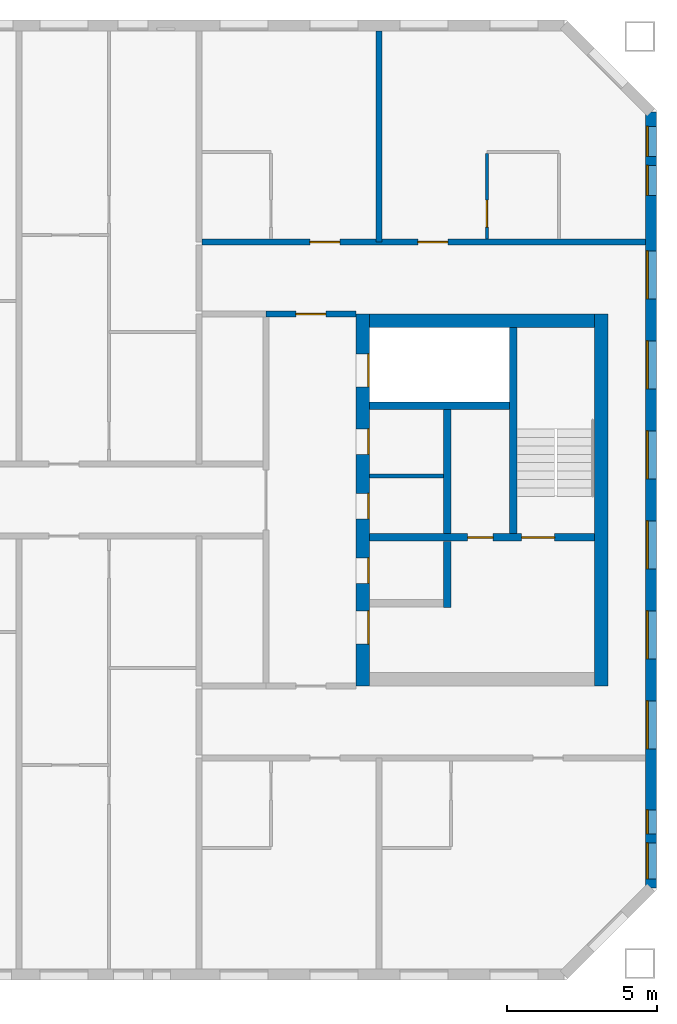
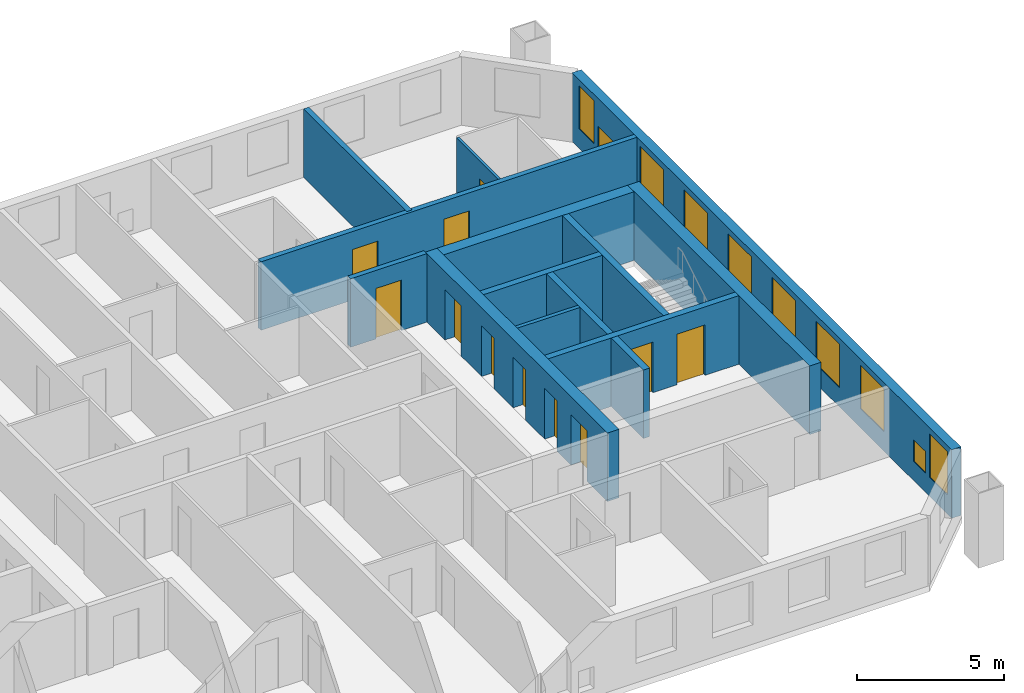
# One storey, part 12 of 15: 14 walls, 11 doors, 10 windows, 21 openings.
"""IFC4 building model written with IfcOpenShell, lengths in metres."""

from ifc_helpers import new_model, si_unit, direction, frame, frame_2d, origin, place, context, subcontext, project, spatial, rectangle, extrude, material, layer, layer_set, type_object, element, fill, save


model = new_model("IFC4")

# Units and contexts
model_context = context("Model", 3, precision=1e-05, world=origin(), true_north=direction((0.0, 1.0)))
body_context = subcontext(model_context, "Body", "Model", "MODEL_VIEW")
ifc_project = project(units=[si_unit("LENGTHUNIT", "METRE"), si_unit("AREAUNIT", "SQUARE_METRE"), si_unit("VOLUMEUNIT", "CUBIC_METRE"), si_unit("PLANEANGLEUNIT", "RADIAN"), si_unit("MASSUNIT", "GRAM", prefix="KILO")], contexts=[model_context])

# Site, building, storey
site_placement = place(None, origin())
site = spatial("IfcSite", under=ifc_project, at=site_placement, CompositionType="ELEMENT")
building_placement = place(site_placement, origin())
building = spatial("IfcBuilding", under=site, at=building_placement, Name="Tuart Gate Housing", CompositionType="ELEMENT")
storey_placement = place(building_placement, frame((0.0, 0.0, 188.199951171875)))
storey = spatial("IfcBuildingStorey", under=building, at=storey_placement, Name="L53", CompositionType="ELEMENT", Elevation=188.199951171875)

# Wall, openings, windows
ifc_material_1 = material(Name="Brick", Category="masonry")
ifc_layer_1 = layer(ifc_material_1, 0.360107421875)
ifc_layer_set_1 = layer_set([ifc_layer_1], Name="Brick pier and spandrel wall 360")
wall_type_1 = type_object("IfcWallType", Name="Brick pier and spandrel wall 360", PredefinedType="STANDARD", material=ifc_layer_set_1)
wall_1_placement = place(storey_placement, frame((170.070068359375, 57.07470703125, 0.0), z_axis=(0.0, 0.0, 1.0), x_axis=(0.0, 1.0, 0.0)))
wall_1 = element("IfcWall", 1, at=wall_1_placement, inside=storey, type_object=wall_type_1, Name="External wall B-E L53", PredefinedType="STANDARD", context=body_context, shape_type="SweptSolid", body=[
    extrude(rectangle(XDim=25.850830078125, YDim=0.360107421875, at=frame_2d((12.92529296875, 0.0))), origin(), (0.0, 0.0, 1.0), 2.85009765625),
])
opening_1_placement = place(wall_1_placement, frame((0.300048828125, 0.0, 0.800048828125)))
opening_1 = element("IfcOpeningElement", 2, at=opening_1_placement, cuts=wall_1, Name="Opening W1B", PredefinedType="OPENING", context=body_context, shape_type="SweptSolid", body=[
    extrude(rectangle(XDim=1.199951171875, YDim=1.800048828125, at=frame_2d((0.60009765625, 0.89990234375))), frame((0.0, 0.18994140625, 0.0), z_axis=(0.0, -1.0, 0.0), x_axis=(1.0, 0.0, 0.0)), (0.0, 0.0, 1.0), 0.380126953125),
])
opening_2_placement = place(wall_1_placement, frame((4.62548828125, 0.0, 0.800048828125)))
opening_2 = element("IfcOpeningElement", 3, at=opening_2_placement, cuts=wall_1, Name="Opening W1", PredefinedType="OPENING", context=body_context, shape_type="SweptSolid", body=[
    extrude(rectangle(XDim=1.60009765625, YDim=1.800048828125, at=frame_2d((0.800048828125, 0.89990234375))), frame((0.0, 0.18994140625, 0.0), z_axis=(0.0, -1.0, 0.0), x_axis=(1.0, 0.0, 0.0)), (0.0, 0.0, 1.0), 0.380126953125),
])
opening_3_placement = place(wall_1_placement, frame((7.62548828125, 0.0, 0.800048828125)))
opening_3 = element("IfcOpeningElement", 4, at=opening_3_placement, cuts=wall_1, Name="Opening W1", PredefinedType="OPENING", context=body_context, shape_type="SweptSolid", body=[
    extrude(rectangle(XDim=1.60009765625, YDim=1.800048828125, at=frame_2d((0.800048828125, 0.89990234375))), frame((0.0, 0.18994140625, 0.0), z_axis=(0.0, -1.0, 0.0), x_axis=(1.0, 0.0, 0.0)), (0.0, 0.0, 1.0), 0.380126953125),
])
opening_4_placement = place(wall_1_placement, frame((10.62548828125, 0.0, 0.800048828125)))
opening_4 = element("IfcOpeningElement", 5, at=opening_4_placement, cuts=wall_1, Name="Opening W1", PredefinedType="OPENING", context=body_context, shape_type="SweptSolid", body=[
    extrude(rectangle(XDim=1.60009765625, YDim=1.800048828125, at=frame_2d((0.800048828125, 0.89990234375))), frame((0.0, 0.18994140625, 0.0), z_axis=(0.0, -1.0, 0.0), x_axis=(1.0, 0.0, 0.0)), (0.0, 0.0, 1.0), 0.380126953125),
])
opening_5_placement = place(wall_1_placement, frame((13.62548828125, 0.0, 0.800048828125)))
opening_5 = element("IfcOpeningElement", 6, at=opening_5_placement, cuts=wall_1, Name="Opening W1", PredefinedType="OPENING", context=body_context, shape_type="SweptSolid", body=[
    extrude(rectangle(XDim=1.60009765625, YDim=1.800048828125, at=frame_2d((0.800048828125, 0.89990234375))), frame((0.0, 0.18994140625, 0.0), z_axis=(0.0, -1.0, 0.0), x_axis=(1.0, 0.0, 0.0)), (0.0, 0.0, 1.0), 0.380126953125),
])
opening_6_placement = place(wall_1_placement, frame((16.62548828125, 0.0, 0.800048828125)))
opening_6 = element("IfcOpeningElement", 7, at=opening_6_placement, cuts=wall_1, Name="Opening W1", PredefinedType="OPENING", context=body_context, shape_type="SweptSolid", body=[
    extrude(rectangle(XDim=1.60009765625, YDim=1.800048828125, at=frame_2d((0.800048828125, 0.89990234375))), frame((0.0, 0.18994140625, 0.0), z_axis=(0.0, -1.0, 0.0), x_axis=(1.0, 0.0, 0.0)), (0.0, 0.0, 1.0), 0.380126953125),
])
opening_7_placement = place(wall_1_placement, frame((19.62548828125, 0.0, 0.800048828125)))
opening_7 = element("IfcOpeningElement", 8, at=opening_7_placement, cuts=wall_1, Name="Opening W1", PredefinedType="OPENING", context=body_context, shape_type="SweptSolid", body=[
    extrude(rectangle(XDim=1.60009765625, YDim=1.800048828125, at=frame_2d((0.800048828125, 0.89990234375))), frame((0.0, 0.18994140625, 0.0), z_axis=(0.0, -1.0, 0.0), x_axis=(1.0, 0.0, 0.0)), (0.0, 0.0, 1.0), 0.380126953125),
])
opening_8_placement = place(wall_1_placement, frame((23.075439453125, 0.0, 0.800048828125)))
opening_8 = element("IfcOpeningElement", 9, at=opening_8_placement, cuts=wall_1, Name="Opening W1U", PredefinedType="OPENING", context=body_context, shape_type="SweptSolid", body=[
    extrude(rectangle(XDim=1.0, YDim=0.89990234375, at=frame_2d((0.5, 0.449951171875))), frame((0.0, 0.18994140625, 0.0), z_axis=(0.0, -1.0, 0.0), x_axis=(1.0, 0.0, 0.0)), (0.0, 0.0, 1.0), 0.380126953125),
])
opening_9_placement = place(wall_1_placement, frame((1.800048828125, 0.0, 0.800048828125)))
opening_9 = element("IfcOpeningElement", 10, at=opening_9_placement, cuts=wall_1, Name="Opening W1V", PredefinedType="OPENING", context=body_context, shape_type="SweptSolid", body=[
    extrude(rectangle(XDim=0.800048828125, YDim=0.89990234375, at=frame_2d((0.39990234375, 0.449951171875))), frame((0.0, 0.18994140625, 0.0), z_axis=(0.0, -1.0, 0.0), x_axis=(1.0, 0.0, 0.0)), (0.0, 0.0, 1.0), 0.380126953125),
])
opening_10_placement = place(wall_1_placement, frame((24.37548828125, 0.0, 0.800048828125)))
opening_10 = element("IfcOpeningElement", 11, at=opening_10_placement, cuts=wall_1, Name="Opening W1C", PredefinedType="OPENING", context=body_context, shape_type="SweptSolid", body=[
    extrude(rectangle(XDim=1.0, YDim=1.800048828125, at=frame_2d((0.5, 0.89990234375))), frame((0.0, 0.18994140625, 0.0), z_axis=(0.0, -1.0, 0.0), x_axis=(1.0, 0.0, 0.0)), (0.0, 0.0, 1.0), 0.380126953125),
])
ifc_material_2 = material(Name="Aluminium frame with clear glass", Category="aluminium")
window_type_1 = type_object("IfcWindowType", Name="Punched window 1000 x 1800", PartitioningType="SINGLE_PANEL", PredefinedType="WINDOW", material=ifc_material_2)
window_1_placement = place(opening_10_placement, origin())
window_1 = element("IfcWindow", 12, at=window_1_placement, inside=storey, type_object=window_type_1, Name="Window W1C", OverallHeight=1.800048828125, OverallWidth=1.0, PartitioningType="SINGLE_PANEL", PredefinedType="WINDOW", context=body_context, shape_type="SweptSolid", body=[
    extrude(rectangle(XDim=1.0, YDim=1.800048828125, at=frame_2d((0.5, 0.89990234375))), frame((0.0, 0.150146484375, 0.0), z_axis=(0.0, -1.0, 0.0), x_axis=(1.0, 0.0, 0.0)), (0.0, 0.0, 1.0), 0.06005859375),
])
fill(opening_10, window_1)
ifc_material_3 = material(Name="Aluminium frame with clear glass", Category="aluminium")
window_type_2 = type_object("IfcWindowType", Name="Punched window 1000 x 900", PartitioningType="SINGLE_PANEL", PredefinedType="WINDOW", material=ifc_material_3)
window_2_placement = place(opening_8_placement, origin())
window_2 = element("IfcWindow", 13, at=window_2_placement, inside=storey, type_object=window_type_2, Name="Window W1U", OverallHeight=0.89990234375, OverallWidth=1.0, PartitioningType="SINGLE_PANEL", PredefinedType="WINDOW", context=body_context, shape_type="SweptSolid", body=[
    extrude(rectangle(XDim=1.0, YDim=0.89990234375, at=frame_2d((0.5, 0.449951171875))), frame((0.0, 0.150146484375, 0.0), z_axis=(0.0, -1.0, 0.0), x_axis=(1.0, 0.0, 0.0)), (0.0, 0.0, 1.0), 0.06005859375),
])
fill(opening_8, window_2)
ifc_material_4 = material(Name="Aluminium frame with clear glass", Category="aluminium")
window_type_3 = type_object("IfcWindowType", Name="Punched window 1200 x 1800", PartitioningType="SINGLE_PANEL", PredefinedType="WINDOW", material=ifc_material_4)
window_3_placement = place(opening_1_placement, origin())
window_3 = element("IfcWindow", 14, at=window_3_placement, inside=storey, type_object=window_type_3, Name="Window W1B", OverallHeight=1.800048828125, OverallWidth=1.199951171875, PartitioningType="SINGLE_PANEL", PredefinedType="WINDOW", context=body_context, shape_type="SweptSolid", body=[
    extrude(rectangle(XDim=1.199951171875, YDim=1.800048828125, at=frame_2d((0.60009765625, 0.89990234375))), frame((0.0, 0.150146484375, 0.0), z_axis=(0.0, -1.0, 0.0), x_axis=(1.0, 0.0, 0.0)), (0.0, 0.0, 1.0), 0.06005859375),
])
fill(opening_1, window_3)
ifc_material_5 = material(Name="Aluminium frame with clear glass", Category="aluminium")
window_type_4 = type_object("IfcWindowType", Name="Punched window 1600 x 1800", PartitioningType="SINGLE_PANEL", PredefinedType="WINDOW", material=ifc_material_5)
window_4_placement = place(opening_2_placement, origin())
window_4 = element("IfcWindow", 15, at=window_4_placement, inside=storey, type_object=window_type_4, Name="Window W1", OverallHeight=1.800048828125, OverallWidth=1.60009765625, PartitioningType="SINGLE_PANEL", PredefinedType="WINDOW", context=body_context, shape_type="SweptSolid", body=[
    extrude(rectangle(XDim=1.60009765625, YDim=1.800048828125, at=frame_2d((0.800048828125, 0.89990234375))), frame((0.0, 0.150146484375, 0.0), z_axis=(0.0, -1.0, 0.0), x_axis=(1.0, 0.0, 0.0)), (0.0, 0.0, 1.0), 0.06005859375),
])
fill(opening_2, window_4)
window_5_placement = place(opening_3_placement, origin())
window_5 = element("IfcWindow", 16, at=window_5_placement, inside=storey, type_object=window_type_4, Name="Window W1", OverallHeight=1.800048828125, OverallWidth=1.60009765625, PartitioningType="SINGLE_PANEL", PredefinedType="WINDOW", context=body_context, shape_type="SweptSolid", body=[
    extrude(rectangle(XDim=1.60009765625, YDim=1.800048828125, at=frame_2d((0.800048828125, 0.89990234375))), frame((0.0, 0.150146484375, 0.0), z_axis=(0.0, -1.0, 0.0), x_axis=(1.0, 0.0, 0.0)), (0.0, 0.0, 1.0), 0.06005859375),
])
fill(opening_3, window_5)
window_6_placement = place(opening_4_placement, origin())
window_6 = element("IfcWindow", 17, at=window_6_placement, inside=storey, type_object=window_type_4, Name="Window W1", OverallHeight=1.800048828125, OverallWidth=1.60009765625, PartitioningType="SINGLE_PANEL", PredefinedType="WINDOW", context=body_context, shape_type="SweptSolid", body=[
    extrude(rectangle(XDim=1.60009765625, YDim=1.800048828125, at=frame_2d((0.800048828125, 0.89990234375))), frame((0.0, 0.150146484375, 0.0), z_axis=(0.0, -1.0, 0.0), x_axis=(1.0, 0.0, 0.0)), (0.0, 0.0, 1.0), 0.06005859375),
])
fill(opening_4, window_6)
window_7_placement = place(opening_5_placement, origin())
window_7 = element("IfcWindow", 18, at=window_7_placement, inside=storey, type_object=window_type_4, Name="Window W1", OverallHeight=1.800048828125, OverallWidth=1.60009765625, PartitioningType="SINGLE_PANEL", PredefinedType="WINDOW", context=body_context, shape_type="SweptSolid", body=[
    extrude(rectangle(XDim=1.60009765625, YDim=1.800048828125, at=frame_2d((0.800048828125, 0.89990234375))), frame((0.0, 0.150146484375, 0.0), z_axis=(0.0, -1.0, 0.0), x_axis=(1.0, 0.0, 0.0)), (0.0, 0.0, 1.0), 0.06005859375),
])
fill(opening_5, window_7)
window_8_placement = place(opening_6_placement, origin())
window_8 = element("IfcWindow", 19, at=window_8_placement, inside=storey, type_object=window_type_4, Name="Window W1", OverallHeight=1.800048828125, OverallWidth=1.60009765625, PartitioningType="SINGLE_PANEL", PredefinedType="WINDOW", context=body_context, shape_type="SweptSolid", body=[
    extrude(rectangle(XDim=1.60009765625, YDim=1.800048828125, at=frame_2d((0.800048828125, 0.89990234375))), frame((0.0, 0.150146484375, 0.0), z_axis=(0.0, -1.0, 0.0), x_axis=(1.0, 0.0, 0.0)), (0.0, 0.0, 1.0), 0.06005859375),
])
fill(opening_6, window_8)
window_9_placement = place(opening_7_placement, origin())
window_9 = element("IfcWindow", 20, at=window_9_placement, inside=storey, type_object=window_type_4, Name="Window W1", OverallHeight=1.800048828125, OverallWidth=1.60009765625, PartitioningType="SINGLE_PANEL", PredefinedType="WINDOW", context=body_context, shape_type="SweptSolid", body=[
    extrude(rectangle(XDim=1.60009765625, YDim=1.800048828125, at=frame_2d((0.800048828125, 0.89990234375))), frame((0.0, 0.150146484375, 0.0), z_axis=(0.0, -1.0, 0.0), x_axis=(1.0, 0.0, 0.0)), (0.0, 0.0, 1.0), 0.06005859375),
])
fill(opening_7, window_9)
ifc_material_6 = material(Name="Aluminium frame with clear glass", Category="aluminium")
window_type_5 = type_object("IfcWindowType", Name="Punched window 800 x 900", PartitioningType="SINGLE_PANEL", PredefinedType="WINDOW", material=ifc_material_6)
window_10_placement = place(opening_9_placement, origin())
window_10 = element("IfcWindow", 21, at=window_10_placement, inside=storey, type_object=window_type_5, Name="Window W1V", OverallHeight=0.89990234375, OverallWidth=0.800048828125, PartitioningType="SINGLE_PANEL", PredefinedType="WINDOW", context=body_context, shape_type="SweptSolid", body=[
    extrude(rectangle(XDim=0.800048828125, YDim=0.89990234375, at=frame_2d((0.39990234375, 0.449951171875))), frame((0.0, 0.150146484375, 0.0), z_axis=(0.0, -1.0, 0.0), x_axis=(1.0, 0.0, 0.0)), (0.0, 0.0, 1.0), 0.06005859375),
])
fill(opening_9, window_10)

# Walls
ifc_material_7 = material(Name="Plasterboard partition")
ifc_layer_2 = layer(ifc_material_7, 0.14990234375)
ifc_layer_set_2 = layer_set([ifc_layer_2], Name="Core partition 150")
wall_type_2 = type_object("IfcWallType", Name="Core partition 150", PredefinedType="PARTITIONING", material=ifc_layer_set_2)
wall_2_placement = place(storey_placement, frame((160.68994140625, 70.800048828125, 0.0), z_axis=(0.0, 0.0, 1.0), x_axis=(1.0, 0.0, 0.0)))
element("IfcWall", 22, at=wall_2_placement, inside=storey, type_object=wall_type_2, Name="Core partition BK.2", PredefinedType="PARTITIONING", context=body_context, shape_type="SweptSolid", body=[
    extrude(rectangle(XDim=2.47509765625, YDim=0.14990234375, at=frame_2d((1.237548828125, 0.0))), origin(), (0.0, 0.0, 1.0), 2.85009765625),
])
ifc_material_8 = material(Name="Concrete C40", Category="concrete")
ifc_layer_3 = layer(ifc_material_8, 0.25)
ifc_layer_set_3 = layer_set([ifc_layer_3], Name="Core wall 250 C40")
wall_type_3 = type_object("IfcWallType", Name="Core wall 250 C40", PredefinedType="SHEAR", material=ifc_layer_set_3)
wall_3_placement = place(storey_placement, frame((160.68994140625, 73.14990234375, 0.0), z_axis=(0.0, 0.0, 1.0), x_axis=(1.0, 0.0, 0.0)))
element("IfcWall", 23, at=wall_3_placement, inside=storey, type_object=wall_type_3, Name="Core wall BK.1", PredefinedType="SHEAR", context=body_context, shape_type="SweptSolid", body=[
    extrude(rectangle(XDim=4.675048828125, YDim=0.25, at=frame_2d((2.33740234375, 0.0))), origin(), (0.0, 0.0, 1.0), 2.85009765625),
])

# Wall, openings, doors
wall_4_placement = place(storey_placement, frame((160.68994140625, 68.75, 0.0), z_axis=(0.0, 0.0, 1.0), x_axis=(1.0, 0.0, 0.0)))
wall_4 = element("IfcWall", 24, at=wall_4_placement, inside=storey, type_object=wall_type_3, Name="Core wall BK.3", PredefinedType="SHEAR", context=body_context, shape_type="SweptSolid", body=[
    extrude(rectangle(XDim=7.5, YDim=0.25, at=frame_2d((3.75, 0.0))), origin(), (0.0, 0.0, 1.0), 2.85009765625),
])
opening_11_placement = place(wall_4_placement, frame((5.074951171875, 0.0, 0.0)))
opening_11 = element("IfcOpeningElement", 25, at=opening_11_placement, cuts=wall_4, Name="Opening D1929", PredefinedType="OPENING", context=body_context, shape_type="SweptSolid", body=[
    extrude(rectangle(XDim=1.10009765625, YDim=2.10009765625, at=frame_2d((0.550048828125, 1.050048828125))), frame((0.0, 0.135009765625, 0.0), z_axis=(0.0, -1.0, 0.0), x_axis=(1.0, 0.0, 0.0)), (0.0, 0.0, 1.0), 0.27001953125),
])
opening_12_placement = place(wall_4_placement, frame((3.27490234375, 0.0, 0.0)))
opening_12 = element("IfcOpeningElement", 26, at=opening_12_placement, cuts=wall_4, Name="Opening D1928", PredefinedType="OPENING", context=body_context, shape_type="SweptSolid", body=[
    extrude(rectangle(XDim=0.85009765625, YDim=2.10009765625, at=frame_2d((0.425048828125, 1.050048828125))), frame((0.0, 0.135009765625, 0.0), z_axis=(0.0, -1.0, 0.0), x_axis=(1.0, 0.0, 0.0)), (0.0, 0.0, 1.0), 0.27001953125),
])
ifc_material_9 = material(Name="Steel fire door", Category="steel")
door_type_1 = type_object("IfcDoorType", Name="Riser door 850 x 2100", OperationType="SINGLE_SWING_LEFT", PredefinedType="DOOR", material=ifc_material_9)
door_1_placement = place(opening_12_placement, origin())
door_1 = element("IfcDoor", 27, at=door_1_placement, inside=storey, type_object=door_type_1, Name="Service room door BK.W1", OperationType="SINGLE_SWING_LEFT", OverallHeight=2.10009765625, OverallWidth=0.85009765625, PredefinedType="DOOR", context=body_context, shape_type="SweptSolid", body=[
    extrude(rectangle(XDim=0.85009765625, YDim=2.10009765625, at=frame_2d((0.425048828125, 1.050048828125))), frame((0.0, 0.02490234375, 0.0), z_axis=(0.0, -1.0, 0.0), x_axis=(1.0, 0.0, 0.0)), (0.0, 0.0, 1.0), 0.050048828125),
])
fill(opening_12, door_1)
ifc_material_10 = material(Name="Steel fire door", Category="steel")
door_type_2 = type_object("IfcDoorType", Name="Stair door 1100 x 2100", OperationType="SINGLE_SWING_LEFT", PredefinedType="DOOR", material=ifc_material_10)
door_2_placement = place(opening_11_placement, origin())
door_2 = element("IfcDoor", 28, at=door_2_placement, inside=storey, type_object=door_type_2, Name="Stair door BK.SD", OperationType="SINGLE_SWING_LEFT", OverallHeight=2.10009765625, OverallWidth=1.10009765625, PredefinedType="DOOR", context=body_context, shape_type="SweptSolid", body=[
    extrude(rectangle(XDim=1.10009765625, YDim=2.10009765625, at=frame_2d((0.550048828125, 1.050048828125))), frame((0.0, 0.02490234375, 0.0), z_axis=(0.0, -1.0, 0.0), x_axis=(1.0, 0.0, 0.0)), (0.0, 0.0, 1.0), 0.050048828125),
])
fill(opening_11, door_2)

# Walls
wall_5_placement = place(storey_placement, frame((163.2900390625, 73.02490234375, 0.0), z_axis=(0.0, 0.0, 1.0), x_axis=(0.0, -1.0, 0.0)))
element("IfcWall", 29, at=wall_5_placement, inside=storey, type_object=wall_type_3, Name="Core wall BK.5", PredefinedType="SHEAR", context=body_context, shape_type="SweptSolid", body=[
    extrude(rectangle(XDim=4.14990234375, YDim=0.25, at=frame_2d((2.074951171875, 0.0))), origin(), (0.0, 0.0, 1.0), 2.85009765625),
])
wall_6_placement = place(storey_placement, frame((163.2900390625, 68.625, 0.0), z_axis=(0.0, 0.0, 1.0), x_axis=(0.0, -1.0, 0.0)))
element("IfcWall", 30, at=wall_6_placement, inside=storey, type_object=wall_type_3, Name="Core wall BK.6", PredefinedType="SHEAR", context=body_context, shape_type="SweptSolid", body=[
    extrude(rectangle(XDim=2.199951171875, YDim=0.25, at=frame_2d((1.10009765625, 0.0))), origin(), (0.0, 0.0, 1.0), 2.85009765625),
])
wall_7_placement = place(storey_placement, frame((165.489990234375, 75.75, 0.0), z_axis=(0.0, 0.0, 1.0), x_axis=(0.0, -1.0, 0.0)))
element("IfcWall", 31, at=wall_7_placement, inside=storey, type_object=wall_type_3, Name="Core wall BK.7", PredefinedType="SHEAR", context=body_context, shape_type="SweptSolid", body=[
    extrude(rectangle(XDim=6.875, YDim=0.25, at=frame_2d((3.4375, 0.0))), origin(), (0.0, 0.0, 1.0), 2.85009765625),
])

# Wall, openings, doors
ifc_material_11 = material(Name="Concrete C40", Category="concrete")
ifc_layer_4 = layer(ifc_material_11, 0.449951171875)
ifc_layer_set_4 = layer_set([ifc_layer_4], Name="Core wall 450 C40")
wall_type_4 = type_object("IfcWallType", Name="Core wall 450 C40", PredefinedType="SHEAR", material=ifc_layer_set_4)
wall_8_placement = place(storey_placement, frame((160.465087890625, 76.199951171875, 0.0), z_axis=(0.0, 0.0, 1.0), x_axis=(0.0, -1.0, 0.0)))
wall_8 = element("IfcWall", 32, at=wall_8_placement, inside=storey, type_object=wall_type_4, Name="Core wall BK front", PredefinedType="SHEAR", context=body_context, shape_type="SweptSolid", body=[
    extrude(rectangle(XDim=12.39990234375, YDim=0.449951171875, at=frame_2d((6.199951171875, 0.0))), origin(), (0.0, 0.0, 1.0), 2.85009765625),
])
opening_13_placement = place(wall_8_placement, frame((1.324951171875, 0.0, 0.0)))
opening_13 = element("IfcOpeningElement", 33, at=opening_13_placement, cuts=wall_8, Name="Opening LD-FB2", PredefinedType="OPENING", context=body_context, shape_type="SweptSolid", body=[
    extrude(rectangle(XDim=1.10009765625, YDim=2.10009765625, at=frame_2d((0.550048828125, 1.050048828125))), frame((0.0, 0.23486328125, 0.0), z_axis=(0.0, -1.0, 0.0), x_axis=(1.0, 0.0, 0.0)), (0.0, 0.0, 1.0), 0.469970703125),
])
opening_14_placement = place(wall_8_placement, frame((3.824951171875, 0.0, 0.0)))
opening_14 = element("IfcOpeningElement", 34, at=opening_14_placement, cuts=wall_8, Name="Opening D1922", PredefinedType="OPENING", context=body_context, shape_type="SweptSolid", body=[
    extrude(rectangle(XDim=0.85009765625, YDim=2.10009765625, at=frame_2d((0.425048828125, 1.050048828125))), frame((0.0, 0.23486328125, 0.0), z_axis=(0.0, -1.0, 0.0), x_axis=(1.0, 0.0, 0.0)), (0.0, 0.0, 1.0), 0.469970703125),
])
opening_15_placement = place(wall_8_placement, frame((5.97509765625, 0.0, 0.0)))
opening_15 = element("IfcOpeningElement", 35, at=opening_15_placement, cuts=wall_8, Name="Opening D1923", PredefinedType="OPENING", context=body_context, shape_type="SweptSolid", body=[
    extrude(rectangle(XDim=0.85009765625, YDim=2.10009765625, at=frame_2d((0.425048828125, 1.050048828125))), frame((0.0, 0.23486328125, 0.0), z_axis=(0.0, -1.0, 0.0), x_axis=(1.0, 0.0, 0.0)), (0.0, 0.0, 1.0), 0.469970703125),
])
opening_16_placement = place(wall_8_placement, frame((9.89990234375, 0.0, 0.0)))
opening_16 = element("IfcOpeningElement", 36, at=opening_16_placement, cuts=wall_8, Name="Opening D1921", PredefinedType="OPENING", context=body_context, shape_type="SweptSolid", body=[
    extrude(rectangle(XDim=1.10009765625, YDim=2.10009765625, at=frame_2d((0.550048828125, 1.050048828125))), frame((0.0, 0.23486328125, 0.0), z_axis=(0.0, -1.0, 0.0), x_axis=(1.0, 0.0, 0.0)), (0.0, 0.0, 1.0), 0.469970703125),
])
opening_17_placement = place(wall_8_placement, frame((8.125, 0.0, 0.0)))
opening_17 = element("IfcOpeningElement", 37, at=opening_17_placement, cuts=wall_8, Name="Opening D1924", PredefinedType="OPENING", context=body_context, shape_type="SweptSolid", body=[
    extrude(rectangle(XDim=0.85009765625, YDim=2.10009765625, at=frame_2d((0.425048828125, 1.050048828125))), frame((0.0, 0.23486328125, 0.0), z_axis=(0.0, -1.0, 0.0), x_axis=(1.0, 0.0, 0.0)), (0.0, 0.0, 1.0), 0.469970703125),
])
ifc_material_12 = material(Name="Stainless steel", Category="steel")
door_type_3 = type_object("IfcDoorType", Name="Landing door 1100 x 2100", OperationType="DOUBLE_DOOR_SLIDING", PredefinedType="DOOR", material=ifc_material_12)
door_3_placement = place(opening_13_placement, origin())
door_3 = element("IfcDoor", 38, at=door_3_placement, inside=storey, type_object=door_type_3, Name="Lift landing door FB2", OperationType="DOUBLE_DOOR_SLIDING", OverallHeight=2.10009765625, OverallWidth=1.10009765625, PredefinedType="DOOR", context=body_context, shape_type="SweptSolid", body=[
    extrude(rectangle(XDim=1.10009765625, YDim=2.10009765625, at=frame_2d((0.550048828125, 1.050048828125))), frame((0.0, 0.2099609375, 0.0), z_axis=(0.0, -1.0, 0.0), x_axis=(1.0, 0.0, 0.0)), (0.0, 0.0, 1.0), 0.050048828125),
])
fill(opening_13, door_3)
ifc_material_13 = material(Name="Steel fire door", Category="steel")
door_type_4 = type_object("IfcDoorType", Name="Lobby door 1100 x 2100", OperationType="SINGLE_SWING_LEFT", PredefinedType="DOOR", material=ifc_material_13)
door_4_placement = place(opening_16_placement, origin())
door_4 = element("IfcDoor", 39, at=door_4_placement, inside=storey, type_object=door_type_4, Name="Lobby entry door BK.EN", OperationType="SINGLE_SWING_LEFT", OverallHeight=2.10009765625, OverallWidth=1.10009765625, PredefinedType="DOOR", context=body_context, shape_type="SweptSolid", body=[
    extrude(rectangle(XDim=1.10009765625, YDim=2.10009765625, at=frame_2d((0.550048828125, 1.050048828125))), frame((0.0, 0.2099609375, 0.0), z_axis=(0.0, -1.0, 0.0), x_axis=(1.0, 0.0, 0.0)), (0.0, 0.0, 1.0), 0.050048828125),
])
fill(opening_16, door_4)
ifc_material_14 = material(Name="Steel fire door", Category="steel")
door_type_5 = type_object("IfcDoorType", Name="Service door 850 x 2100", OperationType="SINGLE_SWING_LEFT", PredefinedType="DOOR", material=ifc_material_14)
door_5_placement = place(opening_14_placement, origin())
door_5 = element("IfcDoor", 40, at=door_5_placement, inside=storey, type_object=door_type_5, Name="Service room door BK.FR1", OperationType="SINGLE_SWING_LEFT", OverallHeight=2.10009765625, OverallWidth=0.85009765625, PredefinedType="DOOR", context=body_context, shape_type="SweptSolid", body=[
    extrude(rectangle(XDim=0.85009765625, YDim=2.10009765625, at=frame_2d((0.425048828125, 1.050048828125))), frame((0.0, 0.2099609375, 0.0), z_axis=(0.0, -1.0, 0.0), x_axis=(1.0, 0.0, 0.0)), (0.0, 0.0, 1.0), 0.050048828125),
])
fill(opening_14, door_5)
door_6_placement = place(opening_15_placement, origin())
door_6 = element("IfcDoor", 41, at=door_6_placement, inside=storey, type_object=door_type_5, Name="Service room door BK.FR2", OperationType="SINGLE_SWING_LEFT", OverallHeight=2.10009765625, OverallWidth=0.85009765625, PredefinedType="DOOR", context=body_context, shape_type="SweptSolid", body=[
    extrude(rectangle(XDim=0.85009765625, YDim=2.10009765625, at=frame_2d((0.425048828125, 1.050048828125))), frame((0.0, 0.2099609375, 0.0), z_axis=(0.0, -1.0, 0.0), x_axis=(1.0, 0.0, 0.0)), (0.0, 0.0, 1.0), 0.050048828125),
])
fill(opening_15, door_6)
door_7_placement = place(opening_17_placement, origin())
door_7 = element("IfcDoor", 42, at=door_7_placement, inside=storey, type_object=door_type_5, Name="Service room door BK.T1", OperationType="SINGLE_SWING_LEFT", OverallHeight=2.10009765625, OverallWidth=0.85009765625, PredefinedType="DOOR", context=body_context, shape_type="SweptSolid", body=[
    extrude(rectangle(XDim=0.85009765625, YDim=2.10009765625, at=frame_2d((0.425048828125, 1.050048828125))), frame((0.0, 0.2099609375, 0.0), z_axis=(0.0, -1.0, 0.0), x_axis=(1.0, 0.0, 0.0)), (0.0, 0.0, 1.0), 0.050048828125),
])
fill(opening_17, door_7)

# Walls
wall_9_placement = place(storey_placement, frame((168.4150390625, 76.199951171875, 0.0), z_axis=(0.0, 0.0, 1.0), x_axis=(0.0, -1.0, 0.0)))
element("IfcWall", 43, at=wall_9_placement, inside=storey, type_object=wall_type_4, Name="Core wall BK back", PredefinedType="SHEAR", context=body_context, shape_type="SweptSolid", body=[
    extrude(rectangle(XDim=12.39990234375, YDim=0.449951171875, at=frame_2d((6.199951171875, 0.0))), origin(), (0.0, 0.0, 1.0), 2.85009765625),
])
wall_10_placement = place(storey_placement, frame((160.68994140625, 75.97509765625, 0.0), z_axis=(0.0, 0.0, 1.0), x_axis=(1.0, 0.0, 0.0)))
element("IfcWall", 44, at=wall_10_placement, inside=storey, type_object=wall_type_4, Name="Core wall BK south", PredefinedType="SHEAR", context=body_context, shape_type="SweptSolid", body=[
    extrude(rectangle(XDim=7.5, YDim=0.449951171875, at=frame_2d((3.75, 0.0))), origin(), (0.0, 0.0, 1.0), 2.85009765625),
])

# Wall, openings, doors
ifc_material_15 = material(Name="Concrete masonry 15 MPa", Category="masonry")
ifc_layer_5 = layer(ifc_material_15, 0.199951171875)
ifc_layer_set_5 = layer_set([ifc_layer_5], Name="Corridor wall masonry 200")
wall_type_5 = type_object("IfcWallType", Name="Corridor wall masonry 200", PredefinedType="PARTITIONING", material=ifc_layer_set_5)
wall_11_placement = place(storey_placement, frame((155.10009765625, 78.60009765625, 0.0), z_axis=(0.0, 0.0, 1.0), x_axis=(1.0, 0.0, 0.0)))
wall_11 = element("IfcWall", 45, at=wall_11_placement, inside=storey, type_object=wall_type_5, Name="Corridor wall masonry 200", PredefinedType="PARTITIONING", context=body_context, shape_type="SweptSolid", body=[
    extrude(rectangle(XDim=14.789794921875, YDim=0.199951171875, at=frame_2d((7.39501953125, 0.0))), origin(), (0.0, 0.0, 1.0), 2.85009765625),
])
opening_18_placement = place(wall_11_placement, frame((3.60009765625, 0.0, 0.0)))
opening_18 = element("IfcOpeningElement", 46, at=opening_18_placement, cuts=wall_11, Name="Opening D1904", PredefinedType="OPENING", context=body_context, shape_type="SweptSolid", body=[
    extrude(rectangle(XDim=1.0, YDim=2.10009765625, at=frame_2d((0.5, 1.050048828125))), frame((0.0, 0.10986328125, 0.0), z_axis=(0.0, -1.0, 0.0), x_axis=(1.0, 0.0, 0.0)), (0.0, 0.0, 1.0), 0.219970703125),
])
opening_19_placement = place(wall_11_placement, frame((7.199951171875, 0.0, 0.0)))
opening_19 = element("IfcOpeningElement", 47, at=opening_19_placement, cuts=wall_11, Name="Opening D1905", PredefinedType="OPENING", context=body_context, shape_type="SweptSolid", body=[
    extrude(rectangle(XDim=1.0, YDim=2.10009765625, at=frame_2d((0.5, 1.050048828125))), frame((0.0, 0.10986328125, 0.0), z_axis=(0.0, -1.0, 0.0), x_axis=(1.0, 0.0, 0.0)), (0.0, 0.0, 1.0), 0.219970703125),
])
ifc_material_16 = material(Name="Timber door leaf in steel frame", Category="steel")
door_type_6 = type_object("IfcDoorType", Name="Flat entrance door 1000", OperationType="SINGLE_SWING_LEFT", PredefinedType="DOOR", material=ifc_material_16)
door_8_placement = place(opening_18_placement, origin())
door_8 = element("IfcDoor", 48, at=door_8_placement, inside=storey, type_object=door_type_6, Name="Flat entrance door", OperationType="SINGLE_SWING_LEFT", OverallHeight=2.10009765625, OverallWidth=1.0, PredefinedType="DOOR", context=body_context, shape_type="SweptSolid", body=[
    extrude(rectangle(XDim=1.0, YDim=2.10009765625, at=frame_2d((0.5, 1.050048828125))), frame((0.0, 0.02490234375, 0.0), z_axis=(0.0, -1.0, 0.0), x_axis=(1.0, 0.0, 0.0)), (0.0, 0.0, 1.0), 0.050048828125),
])
fill(opening_18, door_8)
door_9_placement = place(opening_19_placement, origin())
door_9 = element("IfcDoor", 49, at=door_9_placement, inside=storey, type_object=door_type_6, Name="Flat entrance door", OperationType="SINGLE_SWING_LEFT", OverallHeight=2.10009765625, OverallWidth=1.0, PredefinedType="DOOR", context=body_context, shape_type="SweptSolid", body=[
    extrude(rectangle(XDim=1.0, YDim=2.10009765625, at=frame_2d((0.5, 1.050048828125))), frame((0.0, 0.02490234375, 0.0), z_axis=(0.0, -1.0, 0.0), x_axis=(1.0, 0.0, 0.0)), (0.0, 0.0, 1.0), 0.050048828125),
])
fill(opening_19, door_9)

# Wall, opening, door
ifc_material_17 = material(Name="Concrete masonry 15 MPa", Category="masonry")
ifc_layer_6 = layer(ifc_material_17, 0.199951171875)
ifc_layer_set_6 = layer_set([ifc_layer_6], Name="Enclosure wall masonry 200")
wall_type_6 = type_object("IfcWallType", Name="Enclosure wall masonry 200", PredefinedType="PARTITIONING", material=ifc_layer_set_6)
wall_12_placement = place(storey_placement, frame((157.239990234375, 76.199951171875, 0.0), z_axis=(0.0, 0.0, 1.0), x_axis=(1.0, 0.0, 0.0)))
wall_12 = element("IfcWall", 50, at=wall_12_placement, inside=storey, type_object=wall_type_6, Name="Enclosure wall masonry 200", PredefinedType="PARTITIONING", context=body_context, shape_type="SweptSolid", body=[
    extrude(rectangle(XDim=3.0, YDim=0.199951171875, at=frame_2d((1.5, 0.0))), origin(), (0.0, 0.0, 1.0), 2.85009765625),
])
opening_20_placement = place(wall_12_placement, frame((1.0, 0.0, 0.0)))
opening_20 = element("IfcOpeningElement", 51, at=opening_20_placement, cuts=wall_12, Name="Opening D1912", PredefinedType="OPENING", context=body_context, shape_type="SweptSolid", body=[
    extrude(rectangle(XDim=1.0, YDim=2.10009765625, at=frame_2d((0.5, 1.050048828125))), frame((0.0, 0.10986328125, 0.0), z_axis=(0.0, -1.0, 0.0), x_axis=(1.0, 0.0, 0.0)), (0.0, 0.0, 1.0), 0.219970703125),
])
ifc_material_18 = material(Name="Timber door leaf in steel frame", Category="steel")
door_type_7 = type_object("IfcDoorType", Name="Fire door 1000", OperationType="SINGLE_SWING_LEFT", PredefinedType="DOOR", material=ifc_material_18)
door_10_placement = place(opening_20_placement, origin())
door_10 = element("IfcDoor", 52, at=door_10_placement, inside=storey, type_object=door_type_7, Name="Fire door", OperationType="SINGLE_SWING_LEFT", OverallHeight=2.10009765625, OverallWidth=1.0, PredefinedType="DOOR", context=body_context, shape_type="SweptSolid", body=[
    extrude(rectangle(XDim=1.0, YDim=2.10009765625, at=frame_2d((0.5, 1.050048828125))), frame((0.0, 0.02490234375, 0.0), z_axis=(0.0, -1.0, 0.0), x_axis=(1.0, 0.0, 0.0)), (0.0, 0.0, 1.0), 0.050048828125),
])
fill(opening_20, door_10)

ifc_material_19 = material(Name="Gypsum board on steel studs", Category="steel")
ifc_layer_7 = layer(ifc_material_19, 0.10009765625)
ifc_layer_set_7 = layer_set([ifc_layer_7], Name="Partition 100")
wall_type_7 = type_object("IfcWallType", Name="Partition 100", PredefinedType="PARTITIONING", material=ifc_layer_set_7)
wall_13_placement = place(storey_placement, frame((164.60009765625, 78.699951171875, 0.0), z_axis=(0.0, 0.0, 1.0), x_axis=(0.0, 1.0, 0.0)))
wall_13 = element("IfcWall", 53, at=wall_13_placement, inside=storey, type_object=wall_type_7, Name="Partition 100", PredefinedType="PARTITIONING", context=body_context, shape_type="SweptSolid", body=[
    extrude(rectangle(XDim=2.85009765625, YDim=0.10009765625, at=frame_2d((1.425048828125, 0.0))), origin(), (0.0, 0.0, 1.0), 2.85009765625),
])
opening_21_placement = place(wall_13_placement, frame((0.39990234375, 0.0, 0.0)))
opening_21 = element("IfcOpeningElement", 54, at=opening_21_placement, cuts=wall_13, Name="Opening D1900", PredefinedType="OPENING", context=body_context, shape_type="SweptSolid", body=[
    extrude(rectangle(XDim=0.89990234375, YDim=2.10009765625, at=frame_2d((0.449951171875, 1.050048828125))), frame((0.0, 0.06005859375, 0.0), z_axis=(0.0, -1.0, 0.0), x_axis=(1.0, 0.0, 0.0)), (0.0, 0.0, 1.0), 0.1201171875),
])
ifc_material_20 = material(Name="Timber door leaf in steel frame", Category="steel")
door_type_8 = type_object("IfcDoorType", Name="Bathroom door 900 RH", OperationType="SINGLE_SWING_RIGHT", PredefinedType="DOOR", material=ifc_material_20)
door_11_placement = place(opening_21_placement, frame((0.89990234375, 0.0, 0.0), z_axis=(0.0, 0.0, 1.0), x_axis=(-1.0, 0.0, 0.0)))
door_11 = element("IfcDoor", 55, at=door_11_placement, inside=storey, type_object=door_type_8, Name="Bathroom door", OperationType="SINGLE_SWING_RIGHT", OverallHeight=2.10009765625, OverallWidth=0.89990234375, PredefinedType="DOOR", context=body_context, shape_type="SweptSolid", body=[
    extrude(rectangle(XDim=0.89990234375, YDim=2.10009765625, at=frame_2d((0.449951171875, 1.050048828125))), frame((0.0, 0.025146484375, 0.0), z_axis=(0.0, -1.0, 0.0), x_axis=(1.0, 0.0, 0.0)), (0.0, 0.0, 1.0), 0.050048828125),
])
fill(opening_21, door_11)

# Wall
ifc_material_21 = material(Name="Concrete C40", Category="concrete")
ifc_layer_8 = layer(ifc_material_21, 0.199951171875)
ifc_layer_set_8 = layer_set([ifc_layer_8], Name="Party wall concrete C40 200")
wall_type_8 = type_object("IfcWallType", Name="Party wall concrete C40 200", PredefinedType="SOLIDWALL", material=ifc_layer_set_8)
wall_14_placement = place(storey_placement, frame((161.0, 78.60009765625, 0.0), z_axis=(0.0, 0.0, 1.0), x_axis=(0.0, 1.0, 0.0)))
element("IfcWall", 56, at=wall_14_placement, inside=storey, type_object=wall_type_8, Name="Party wall concrete C40 200", PredefinedType="SOLIDWALL", context=body_context, shape_type="SweptSolid", body=[
    extrude(rectangle(XDim=7.039794921875, YDim=0.199951171875, at=frame_2d((3.52001953125, 0.0))), origin(), (0.0, 0.0, 1.0), 2.85009765625),
])

save(model, "model.ifc")
